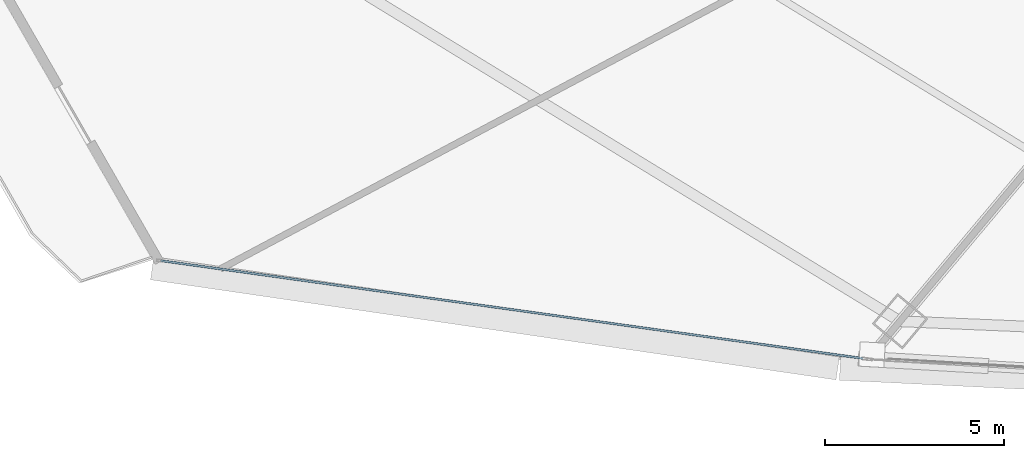
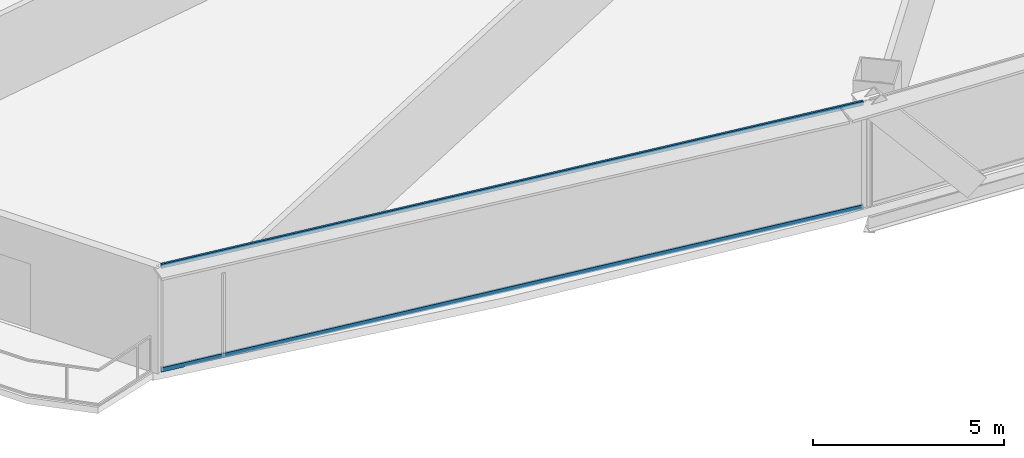
# One storey, part 3 of 37: 2 members, 1 element without a shape of its own.
"""IFC4 building model written with IfcOpenShell, lengths in metres."""

import ifcopenshell
import ifcopenshell.guid

model = None  # the IFC model being written
_history = None  # IfcOwnerHistory: only IFC2X3 demands one
_inside = {}  # id of a spatial element -> (the spatial element, [elements in it])
_under = {}  # id of a project, library or spatial element -> (it, [spatial elements below it])
_declared = {}  # id of a project -> (the project, [libraries it declares])
_typed = {}  # id of a type object -> (the type object, [elements of that type])
_made_of = {}  # id of a material, layer set ... -> (it, [elements and type objects made of it])


def new_model(schema):
    """Start an empty IFC model of exactly this schema.

    Asked for "IFC4X3", IfcOpenShell would pick the latest addendum, in which some entities
    have other attributes; the version numbers below select the first issue.
    IFC2X3 requires an IfcOwnerHistory on every rooted entity: one is made here for all.
    """
    global model, _history
    if schema == "IFC4X3":
        model = ifcopenshell.file(schema_version=(4, 3, 0, 0))
    else:
        model = ifcopenshell.file(schema=schema)
    _inside.clear()
    _under.clear()
    _declared.clear()
    _typed.clear()
    _made_of.clear()
    _history = None
    if model.schema == "IFC2X3":
        org = make("IfcOrganization", Name="unknown")
        user = make(
            "IfcPersonAndOrganization",
            ThePerson=make("IfcPerson", FamilyName="unknown"),
            TheOrganization=org,
        )
        app = make(
            "IfcApplication",
            ApplicationDeveloper=org,
            Version="unknown",
            ApplicationFullName="unknown",
            ApplicationIdentifier="unknown",
        )
        _history = make(
            "IfcOwnerHistory",
            OwningUser=user,
            OwningApplication=app,
            ChangeAction="ADDED",
            CreationDate=0,
        )
    return model


def make(cls, **values):
    """One entity of the class cls with the attributes given. An attribute that is None is left unset."""
    return model.create_entity(
        cls, **{name: value for name, value in values.items() if value is not None}
    )


def rooted(cls, **values):
    """An entity with a GlobalId (a new one), such as an element, a storey or a relation."""
    return make(cls, GlobalId=ifcopenshell.guid.new(), OwnerHistory=_history, **values)


def si_unit(unit_type, name, prefix=None):
    """IfcSIUnit, for example si_unit("LENGTHUNIT", "METRE", prefix="MILLI")."""
    return make("IfcSIUnit", UnitType=unit_type, Prefix=prefix, Name=name)


def assignment(units):
    """IfcUnitAssignment: the units of a project."""
    return None if units is None else make("IfcUnitAssignment", Units=units)


def point(xyz):
    """IfcCartesianPoint."""
    return None if xyz is None else make("IfcCartesianPoint", Coordinates=xyz)


def direction(xyz):
    """IfcDirection."""
    return None if xyz is None else make("IfcDirection", DirectionRatios=xyz)


def frame(location, z_axis=None, x_axis=None):
    """IfcAxis2Placement3D, a coordinate frame: its origin and axes. An axis left out is left unset."""
    return make(
        "IfcAxis2Placement3D",
        Location=point(location),
        Axis=direction(z_axis),
        RefDirection=direction(x_axis),
    )


def frame_2d(location, x_axis=None):
    """IfcAxis2Placement2D, a coordinate frame in the plane: its origin and x axis."""
    return make(
        "IfcAxis2Placement2D", Location=point(location), RefDirection=direction(x_axis)
    )


def origin():
    """The frame at (0, 0, 0) with its axes left unset."""
    return frame((0.0, 0.0, 0.0))


def origin_2d():
    """The frame at (0, 0) in the plane with its x axis left unset."""
    return frame_2d((0.0, 0.0))


def place(relative_to, where):
    """IfcLocalPlacement: puts the frame where relative to a parent placement (None: the world)."""
    return make(
        "IfcLocalPlacement", PlacementRelTo=relative_to, RelativePlacement=where
    )


def context(
    kind, dimensions, precision=None, world=None, true_north=None, identifier=None
):
    """IfcGeometricRepresentationContext, for example the 3D "Model" context."""
    return make(
        "IfcGeometricRepresentationContext",
        ContextIdentifier=identifier,
        ContextType=kind,
        CoordinateSpaceDimension=dimensions,
        Precision=precision,
        WorldCoordinateSystem=world,
        TrueNorth=true_north,
    )


def subcontext(parent, identifier, kind, view, scale=None):
    """IfcGeometricRepresentationSubContext, for example "Body" below "Model"."""
    return make(
        "IfcGeometricRepresentationSubContext",
        ContextIdentifier=identifier,
        ContextType=kind,
        ParentContext=parent,
        TargetScale=scale,
        TargetView=view,
    )


def project(units=None, contexts=None):
    """IfcProject with its units and contexts."""
    return rooted(
        "IfcProject",
        Name="project",
        RepresentationContexts=contexts,
        UnitsInContext=assignment(units),
    )


def spatial(cls, under=None, at=None, **own):
    """A site, building, storey or space (cls), placed at a placement, below another one or the project."""
    s = rooted(cls, ObjectPlacement=at, **own)
    if under is not None:
        _under.setdefault(under.id(), (under, []))[1].append(s)
    return s


def profile(cls, at=None, kind="AREA", **sizes):
    """A parametric profile (cls). Its sizes go by their IFC names, for example OverallWidth=200.0."""
    return make(cls, ProfileType=kind, Position=at, **sizes)


def hollow_rectangle(**sizes):
    """IfcRectangleHollowProfileDef."""
    return profile("IfcRectangleHollowProfileDef", **sizes)


def extrude(swept, where, along, depth):
    """IfcExtrudedAreaSolid: the profile swept, set in the frame where, extruded along a direction by depth."""
    return make(
        "IfcExtrudedAreaSolid",
        SweptArea=swept,
        Position=where,
        ExtrudedDirection=direction(along),
        Depth=depth,
    )


def shape(context_of_items, identifier, shape_type, items):
    """IfcShapeRepresentation: the items that make up one representation, for example the "Body"."""
    return make(
        "IfcShapeRepresentation",
        ContextOfItems=context_of_items,
        RepresentationIdentifier=identifier,
        RepresentationType=shape_type,
        Items=items,
    )


def source(mapping_origin, context_of_items, identifier, shape_type, items):
    """IfcRepresentationMap: a shape defined once, which mapped items show again and again."""
    return make(
        "IfcRepresentationMap",
        MappingOrigin=mapping_origin,
        MappedRepresentation=shape(context_of_items, identifier, shape_type, items),
    )


def transform(
    local_origin,
    x_axis=None,
    y_axis=None,
    z_axis=None,
    scale=None,
    scale2=None,
    scale3=None,
    uniform=True,
):
    """IfcCartesianTransformationOperator3D, or its non-uniform kind. x_axis, y_axis, z_axis: its Axis1, 2, 3."""
    if uniform:
        return make(
            "IfcCartesianTransformationOperator3D",
            Axis1=direction(x_axis),
            Axis2=direction(y_axis),
            LocalOrigin=point(local_origin),
            Scale=scale,
            Axis3=direction(z_axis),
        )
    return make(
        "IfcCartesianTransformationOperator3DnonUniform",
        Axis1=direction(x_axis),
        Axis2=direction(y_axis),
        LocalOrigin=point(local_origin),
        Scale=scale,
        Axis3=direction(z_axis),
        Scale2=scale2,
        Scale3=scale3,
    )


def mapped(mapping_source, mapping_target):
    """IfcMappedItem: shows the shape of a source again, moved by a transform."""
    return make(
        "IfcMappedItem", MappingSource=mapping_source, MappingTarget=mapping_target
    )


def material(Name=None, Category=None):
    """IfcMaterial."""
    return make("IfcMaterial", Name=Name, Category=Category)


def layer(
    of_material, thickness, ventilated=None, Name=None, Category=None, Priority=None
):
    """IfcMaterialLayer: one layer of a wall or slab, of a material (None: an air gap)."""
    return make(
        "IfcMaterialLayer",
        Material=of_material,
        LayerThickness=thickness,
        IsVentilated=ventilated,
        Name=Name,
        Category=Category,
        Priority=Priority,
    )


def layer_set(layers, Name=None):
    """IfcMaterialLayerSet."""
    return make("IfcMaterialLayerSet", MaterialLayers=layers, LayerSetName=Name)


def material_profile(
    of_material, cross_section, Name=None, Category=None, Priority=None
):
    """IfcMaterialProfile: a cross section and its material."""
    return make(
        "IfcMaterialProfile",
        Name=Name,
        Material=of_material,
        Profile=cross_section,
        Priority=Priority,
        Category=Category,
    )


def profile_set(profiles, Name=None, composite=None):
    """IfcMaterialProfileSet."""
    return make(
        "IfcMaterialProfileSet",
        Name=Name,
        MaterialProfiles=profiles,
        CompositeProfile=composite,
    )


def made_of(thing, what):
    """Note that an element or type object is made of a material, layer set ...; save() writes the relation."""
    if what is not None:
        _made_of.setdefault(what.id(), (what, []))[1].append(thing)
    return thing


def type_object(cls, material=None, **own):
    """A type object (cls), such as IfcWallType, which elements share."""
    return made_of(rooted(cls, **own), material)


def element(
    cls,
    number,
    at=None,
    inside=None,
    cuts=None,
    type_object=None,
    material=None,
    context=None,
    identifier="Body",
    shape_type=None,
    held_by="IfcProductDefinitionShape",
    body=None,
    shapes=None,
    **own,
):
    """One element of the class cls, such as IfcWall. Its Tag is "e" and its number.

    at: its placement. inside: the storey or other place that contains it. cuts: it is an
    opening in that element (IfcRelVoidsElement). A single representation is given by context,
    identifier, shape_type and body (its items); several are given by shapes. held_by: the class
    of the entity that holds the representations. save() writes the other relations.
    """
    e = rooted(cls, Tag="e%d" % number, ObjectPlacement=at, **own)
    if body is not None:
        shapes = [shape(context, identifier, shape_type, body)]
    if shapes is not None:
        e.Representation = make(held_by, Representations=shapes)
    if inside is not None:
        _inside.setdefault(inside.id(), (inside, []))[1].append(e)
    if cuts is not None:
        rooted(
            "IfcRelVoidsElement", RelatingBuildingElement=cuts, RelatedOpeningElement=e
        )
    if type_object is not None:
        _typed.setdefault(type_object.id(), (type_object, []))[1].append(e)
    return made_of(e, material)


def aggregate(whole, parts):
    """IfcRelAggregates: a whole, such as a stair, and the parts it consists of."""
    return rooted("IfcRelAggregates", RelatingObject=whole, RelatedObjects=parts)


def save(model, path):
    """Write the relations noted so far, then the file.

    IfcRelAggregates (storeys below a building ...), IfcRelContainedInSpatialStructure (elements
    in a storey), IfcRelDefinesByType, IfcRelAssociatesMaterial and IfcRelDeclares: one each for
    every whole, place, type object, material and project.
    """
    for whole, parts in _under.values():
        aggregate(whole, parts)
    for where, things in _inside.values():
        rooted(
            "IfcRelContainedInSpatialStructure",
            RelatedElements=things,
            RelatingStructure=where,
        )
    for kind, things in _typed.values():
        rooted("IfcRelDefinesByType", RelatedObjects=things, RelatingType=kind)
    for what, things in _made_of.values():
        rooted("IfcRelAssociatesMaterial", RelatedObjects=things, RelatingMaterial=what)
    for by, libraries in _declared.values():
        rooted("IfcRelDeclares", RelatingContext=by, RelatedDefinitions=libraries)
    model.write(path)


model = new_model("IFC4")

# Units and contexts
model_context = context("Model", 3, precision=1e-05, world=origin(), true_north=direction((0.0, 1.0)))
body_context = subcontext(model_context, "Body", "Model", "MODEL_VIEW")
ifc_project = project(units=[si_unit("LENGTHUNIT", "METRE"), si_unit("AREAUNIT", "SQUARE_METRE"), si_unit("VOLUMEUNIT", "CUBIC_METRE"), si_unit("PLANEANGLEUNIT", "RADIAN"), si_unit("MASSUNIT", "GRAM", prefix="KILO"), si_unit("THERMODYNAMICTEMPERATUREUNIT", "KELVIN"), si_unit("POWERUNIT", "WATT")], contexts=[model_context])

# Site, building, storey
site_placement = place(None, origin())
site = spatial("IfcSite", under=ifc_project, at=site_placement, CompositionType="ELEMENT")
building_placement = place(site_placement, origin())
building = spatial("IfcBuilding", under=site, at=building_placement, Name="Yunzhuo Pagoda Commons", CompositionType="ELEMENT")
storey_placement = place(building_placement, frame((0.0, 0.0, 59.43994140625)))
storey = spatial("IfcBuildingStorey", under=building, at=storey_placement, Name="L15", CompositionType="ELEMENT", Elevation=59.43994140625)

# Curtain wall, members
ifc_material = material(Name="Anodized aluminium 6063-T6", Category="aluminium")
ifc_layer = layer(ifc_material, 0.1650390625)
ifc_layer_set = layer_set([ifc_layer], Name="Anodized aluminium 6063-T6")
curtain_wall_type = type_object("IfcCurtainWallType", Name="CW-LOW Low-Zone Ribbon Curtain Wall", PredefinedType="NOTDEFINED", material=ifc_layer_set)
curtain_wall_placement = place(storey_placement, origin())
curtain_wall = element("IfcCurtainWall", 1, at=curtain_wall_placement, inside=storey, type_object=curtain_wall_type, Name="L15 curtain wall CW-L15-F1B1", PredefinedType="NOTDEFINED")
ifc_material_profile = material_profile(ifc_material, hollow_rectangle(XDim=0.06005859375, YDim=0.139892578125, WallThickness=0.00341796875, at=origin_2d()), Name="Anodized aluminium 6063-T6")
ifc_profile_set = profile_set([ifc_material_profile], Name="Anodized aluminium 6063-T6")
member_type = type_object("IfcMemberType", Name="CW-LOW-T Transom RHS 140x60x3.5", PredefinedType="USERDEFINED", material=ifc_profile_set)
shared_shape = source(origin(), body_context, "Body", "SweptSolid", [
    extrude(hollow_rectangle(XDim=0.06005859375, YDim=0.139892578125, WallThickness=0.00341796875, at=origin_2d()), origin(), (0.0, 0.0, 1.0), 19.809326171875),
])
member_1_placement = place(storey_placement, frame((9.853515625, 14.53759765625, 0.030029296875), z_axis=(0.990444632664, -0.13791094818, 0.0), x_axis=(0.13791094818, 0.990444632664, 0.0)))
member_1 = element("IfcMember", 2, at=member_1_placement, type_object=member_type, Name="CW transom 1.1", ObjectType="TRANSOM", PredefinedType="USERDEFINED", context=body_context, shape_type="MappedRepresentation", body=[
    mapped(shared_shape, transform((0.0, 0.0, 0.0), scale=1.0)),
])
member_2_placement = place(storey_placement, frame((9.853515625, 14.53759765625, 3.340087890625), z_axis=(0.990444632664, -0.13791094818, 0.0), x_axis=(0.13791094818, 0.990444632664, 0.0)))
member_2 = element("IfcMember", 3, at=member_2_placement, type_object=member_type, Name="CW transom 1.2", ObjectType="TRANSOM", PredefinedType="USERDEFINED", context=body_context, shape_type="MappedRepresentation", body=[
    mapped(shared_shape, transform((0.0, 0.0, 0.0), scale=1.0)),
])
aggregate(curtain_wall, [member_1, member_2])

save(model, "model.ifc")
